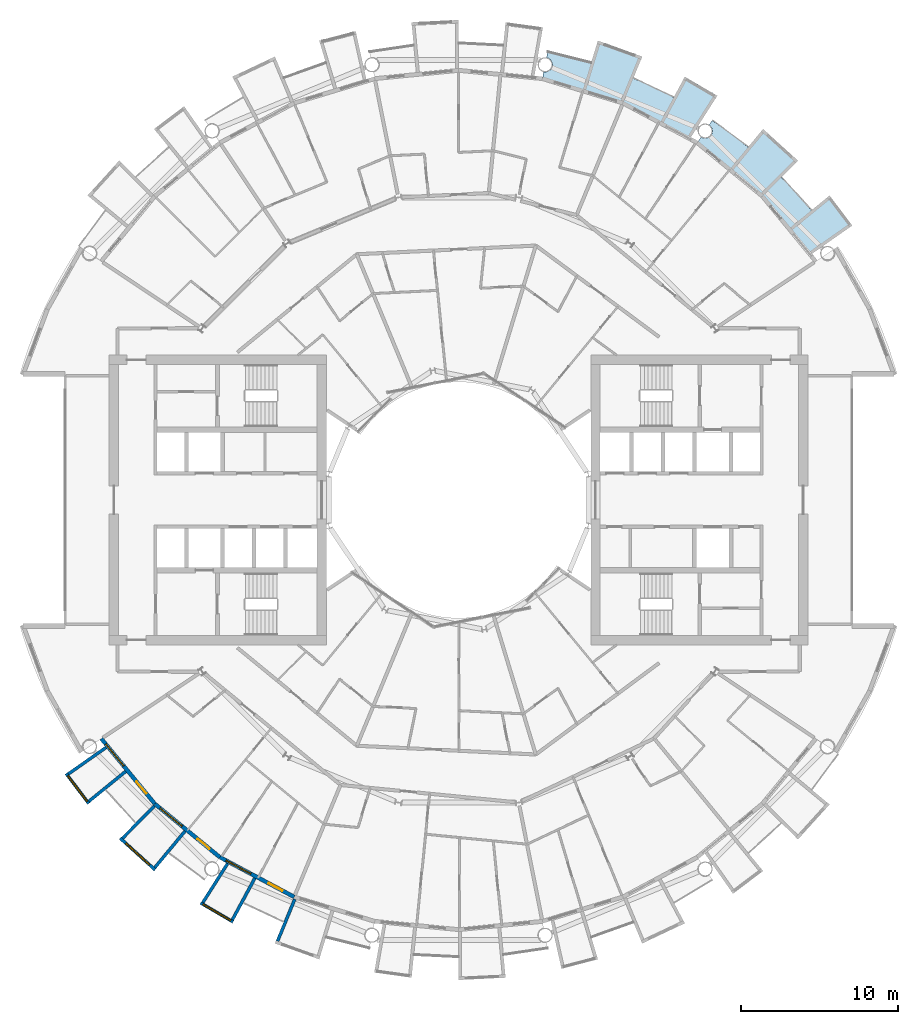
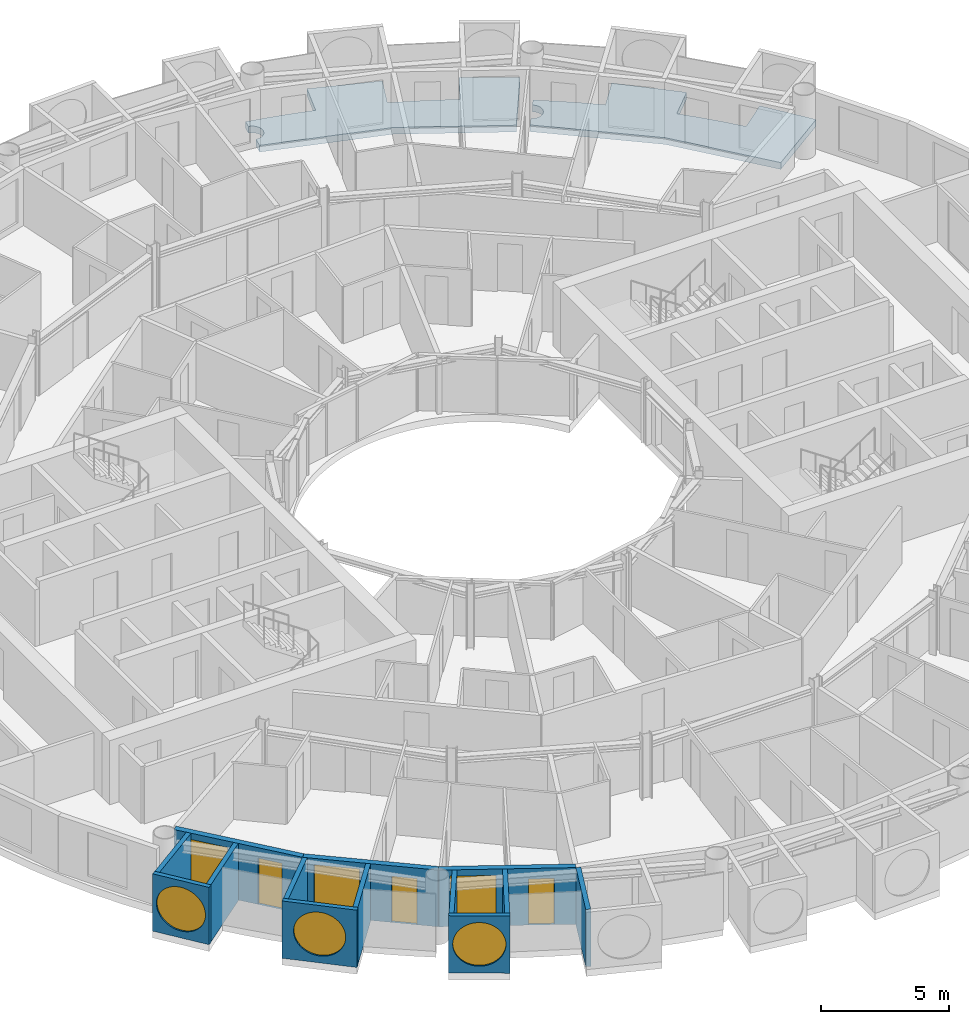
# One storey, part 13 of 27: 13 walls, 6 windows, 3 doors, 2 slabs, 9 openings.
"""IFC4 building model written with IfcOpenShell, lengths in metres."""

from ifc_helpers import new_model, si_unit, direction, frame, frame_2d, origin, place, context, subcontext, project, spatial, polyline, rectangle, circle, outline, extrude, material, layer, layer_set, type_object, element, fill, save


model = new_model("IFC4")

# Units and contexts
model_context = context("Model", 3, precision=1e-05, world=origin(), true_north=direction((0.0, 1.0)))
body_context = subcontext(model_context, "Body", "Model", "MODEL_VIEW")
ifc_project = project(units=[si_unit("LENGTHUNIT", "METRE"), si_unit("AREAUNIT", "SQUARE_METRE"), si_unit("VOLUMEUNIT", "CUBIC_METRE"), si_unit("PLANEANGLEUNIT", "RADIAN"), si_unit("MASSUNIT", "GRAM", prefix="KILO")], contexts=[model_context])

# Site, building, storey
site_placement = place(None, origin())
site = spatial("IfcSite", under=ifc_project, at=site_placement, CompositionType="ELEMENT")
building_placement = place(site_placement, origin())
building = spatial("IfcBuilding", under=site, at=building_placement, Name="Maasbend Ring Residences", CompositionType="ELEMENT")
storey_placement = place(building_placement, frame((0.0, 0.0, 111.64990234375)))
storey = spatial("IfcBuildingStorey", under=building, at=storey_placement, Name="L31", CompositionType="ELEMENT", Elevation=111.64990234375)

# Slabs
ifc_material_1 = material(Name="Concrete C40/50", Category="concrete")
ifc_layer_1 = layer(ifc_material_1, 0.199951171875)
ifc_layer_set_1 = layer_set([ifc_layer_1], Name="Concrete C40/50")
slab_type = type_object("IfcSlabType", Name="SL-LOGGIA", PredefinedType="FLOOR", material=ifc_layer_set_1)
slab_1_placement = place(storey_placement, frame((0.0, 0.0, -0.349853515625)))
element("IfcSlab", 1, at=slab_1_placement, inside=storey, type_object=slab_type, Name="Loggia floor 2", PredefinedType="FLOOR", context=body_context, shape_type="SweptSolid", body=[
    extrude(outline(polyline([(5.446044921875, 27.205078125), (5.45703125, 27.202880859375), (5.468017578125, 27.201904296875), (5.47900390625, 27.201904296875), (5.489990234375, 27.200927734375), (5.501953125, 27.200927734375), (5.512939453125, 27.200927734375), (5.52392578125, 27.201904296875), (5.534912109375, 27.201904296875), (5.5458984375, 27.202880859375), (5.556884765625, 27.205078125), (5.569091796875, 27.2060546875), (5.580078125, 27.2080078125), (5.591064453125, 27.2099609375), (5.60205078125, 27.2119140625), (5.613037109375, 27.215087890625), (5.623046875, 27.218017578125), (5.634033203125, 27.220947265625), (5.64501953125, 27.22412109375), (5.655029296875, 27.22802734375), (5.666015625, 27.23193359375), (5.676025390625, 27.236083984375), (5.68701171875, 27.239990234375), (5.697021484375, 27.2451171875), (5.70703125, 27.25), (5.717041015625, 27.2548828125), (5.72705078125, 27.260009765625), (5.736083984375, 27.26611328125), (5.74609375, 27.27197265625), (5.7548828125, 27.278076171875), (5.764892578125, 27.283935546875), (5.77392578125, 27.291015625), (5.782958984375, 27.298095703125), (5.791015625, 27.304931640625), (5.800048828125, 27.31201171875), (5.80810546875, 27.319091796875), (5.81689453125, 27.326904296875), (5.824951171875, 27.3349609375), (5.83203125, 27.343017578125), (5.840087890625, 27.35107421875), (5.847900390625, 27.360107421875), (5.85498046875, 27.367919921875), (5.862060546875, 27.376953125), (5.868896484375, 27.385986328125), (5.875, 27.39501953125), (5.881103515625, 27.404052734375), (5.887939453125, 27.4140625), (5.89306640625, 27.423095703125), (5.89892578125, 27.43310546875), (5.905029296875, 27.443115234375), (5.909912109375, 27.452880859375), (5.9150390625, 27.462890625), (5.9189453125, 27.472900390625), (5.924072265625, 27.48291015625), (5.927978515625, 27.493896484375), (5.931884765625, 27.50390625), (5.93505859375, 27.514892578125), (5.93896484375, 27.52490234375), (5.94189453125, 27.535888671875), (5.945068359375, 27.547119140625), (5.947021484375, 27.55810546875), (5.949951171875, 27.569091796875), (5.951904296875, 27.580078125), (5.9541015625, 27.591064453125), (5.955078125, 27.60205078125), (5.9560546875, 27.613037109375), (5.95703125, 27.6240234375), (5.9580078125, 27.635986328125), (5.9580078125, 27.64697265625), (5.9580078125, 27.657958984375), (5.9580078125, 27.6689453125), (5.9580078125, 27.680908203125), (5.95703125, 27.69189453125), (5.9560546875, 27.702880859375), (5.955078125, 27.714111328125), (5.9541015625, 27.72509765625), (5.951904296875, 27.736083984375), (5.949951171875, 27.7470703125), (5.947021484375, 27.758056640625), (5.945068359375, 27.76904296875), (5.94189453125, 27.780029296875), (5.93896484375, 27.791015625), (5.93505859375, 27.801025390625), (5.931884765625, 27.81201171875), (5.927978515625, 27.822998046875), (5.924072265625, 27.8330078125), (5.9189453125, 27.843017578125), (5.9150390625, 27.85302734375), (5.909912109375, 27.864013671875), (5.905029296875, 27.8740234375), (5.89892578125, 27.883056640625), (5.89306640625, 27.89306640625), (5.887939453125, 27.903076171875), (5.881103515625, 27.912109375), (5.875, 27.9208984375), (5.868896484375, 27.929931640625), (5.862060546875, 27.93896484375), (5.85498046875, 27.947998046875), (5.847900390625, 27.95703125), (5.840087890625, 27.965087890625), (5.83203125, 27.972900390625), (5.824951171875, 27.98095703125), (5.81689453125, 27.989013671875), (5.80810546875, 27.9970703125), (5.800048828125, 28.00390625), (5.791015625, 28.010986328125), (5.782958984375, 28.01806640625), (5.77392578125, 28.02490234375), (5.764892578125, 28.031982421875), (5.7548828125, 28.0380859375), (5.74609375, 28.0439453125), (5.736083984375, 28.050048828125), (5.72705078125, 28.055908203125), (5.717041015625, 28.06103515625), (5.70703125, 28.06591796875), (5.697021484375, 28.071044921875), (5.68701171875, 28.075927734375), (5.676025390625, 28.080078125), (5.666015625, 28.083984375), (5.655029296875, 28.087890625), (5.64501953125, 28.092041015625), (5.634033203125, 28.094970703125), (5.623046875, 28.09912109375), (5.613037109375, 28.10107421875), (5.60205078125, 28.10400390625), (5.591064453125, 28.10595703125), (5.657958984375, 28.443115234375), (5.657958984375, 28.443115234375), (5.657958984375, 28.443115234375), (6.5849609375, 28.241943359375), (6.5849609375, 28.241943359375), (7.506103515625, 28.011962890625), (7.506103515625, 28.011962890625), (8.41796875, 27.7509765625), (8.41796875, 27.7509765625), (8.41796875, 27.7509765625), (8.41796875, 27.7509765625), (8.41796875, 27.7509765625), (8.41796875, 27.7509765625), (8.41796875, 27.7509765625), (8.41796875, 27.7509765625), (8.41796875, 27.7509765625), (8.41796875, 27.7509765625), (8.41796875, 27.751953125), (8.41796875, 27.751953125), (8.41796875, 27.751953125), (8.41796875, 27.751953125), (8.41796875, 27.751953125), (8.41796875, 27.751953125), (8.41796875, 27.751953125), (8.85400390625, 29.18701171875), (8.85400390625, 29.18701171875), (8.85400390625, 29.18701171875), (11.672119140625, 28.177978515625), (11.672119140625, 28.177978515625), (11.672119140625, 28.177978515625), (11.097900390625, 26.79296875), (11.097900390625, 26.79296875), (11.097900390625, 26.79296875), (11.097900390625, 26.79296875), (11.097900390625, 26.79296875), (11.097900390625, 26.79296875), (11.097900390625, 26.79296875), (11.097900390625, 26.79296875), (11.097900390625, 26.79296875), (11.097900390625, 26.79296875), (11.097900390625, 26.7919921875), (11.097900390625, 26.7919921875), (11.097900390625, 26.7919921875), (11.097900390625, 26.7919921875), (11.097900390625, 26.7919921875), (11.097900390625, 26.7919921875), (11.097900390625, 26.7919921875), (11.968994140625, 26.4150390625), (11.968994140625, 26.4150390625), (12.825927734375, 26.009033203125), (12.825927734375, 26.009033203125), (13.669921875, 25.575927734375), (13.669921875, 25.575927734375), (13.669921875, 25.575927734375), (13.669921875, 25.575927734375), (13.669921875, 25.575927734375), (13.669921875, 25.575927734375), (13.669921875, 25.575927734375), (13.669921875, 25.575927734375), (13.669921875, 25.575927734375), (13.669921875, 25.575927734375), (13.6708984375, 25.575927734375), (13.6708984375, 25.575927734375), (13.6708984375, 25.575927734375), (13.6708984375, 25.575927734375), (13.6708984375, 25.575927734375), (13.6708984375, 25.575927734375), (13.6708984375, 25.575927734375), (14.3779296875, 26.89892578125), (14.3779296875, 26.89892578125), (14.3779296875, 26.89892578125), (16.44091796875, 25.68994140625), (16.44091796875, 25.68994140625), (16.44091796875, 25.68994140625), (14.68994140625, 22.9541015625), (14.68994140625, 22.9541015625), (14.68994140625, 22.9541015625), (12.806884765625, 23.9609375), (10.447021484375, 25.221923828125), (10.447021484375, 25.221923828125), (10.447021484375, 25.221923828125), (7.886962890625, 25.9990234375), (5.325927734375, 26.77490234375), (5.325927734375, 26.77490234375), (5.325927734375, 26.77490234375), (5.412109375, 27.2099609375), (5.423095703125, 27.2080078125), (5.43408203125, 27.2060546875), (5.446044921875, 27.205078125)])), origin(), (0.0, 0.0, 1.0), 0.320068359375),
])
slab_2_placement = place(storey_placement, frame((0.0, 0.0, -0.349853515625)))
element("IfcSlab", 2, at=slab_2_placement, inside=storey, type_object=slab_type, Name="Loggia floor 5", PredefinedType="FLOOR", context=body_context, shape_type="SweptSolid", body=[
    extrude(outline(polyline([(15.431884765625, 23.054931640625), (15.44189453125, 23.050048828125), (15.451904296875, 23.0439453125), (15.4619140625, 23.0390625), (15.471923828125, 23.033935546875), (15.48193359375, 23.030029296875), (15.491943359375, 23.02490234375), (15.5029296875, 23.02099609375), (15.512939453125, 23.01708984375), (15.52392578125, 23.012939453125), (15.533935546875, 23.010009765625), (15.544921875, 23.007080078125), (15.555908203125, 23.00390625), (15.56689453125, 23.001953125), (15.577880859375, 22.9990234375), (15.589111328125, 22.9970703125), (15.60009765625, 22.9951171875), (15.611083984375, 22.993896484375), (15.6220703125, 22.992919921875), (15.633056640625, 22.991943359375), (15.64501953125, 22.990966796875), (15.656005859375, 22.990966796875), (15.6669921875, 22.989990234375), (15.677978515625, 22.990966796875), (15.68994140625, 22.990966796875), (15.700927734375, 22.991943359375), (15.7119140625, 22.992919921875), (15.722900390625, 22.993896484375), (15.73388671875, 22.9951171875), (15.7451171875, 22.9970703125), (15.756103515625, 22.9990234375), (15.76708984375, 23.001953125), (15.778076171875, 23.00390625), (15.7890625, 23.007080078125), (15.800048828125, 23.010009765625), (15.81005859375, 23.012939453125), (15.821044921875, 23.01708984375), (15.83203125, 23.02099609375), (15.842041015625, 23.02490234375), (15.85205078125, 23.030029296875), (15.862060546875, 23.033935546875), (15.873046875, 23.0390625), (15.883056640625, 23.0439453125), (15.89208984375, 23.050048828125), (15.902099609375, 23.054931640625), (15.912109375, 23.06103515625), (15.9208984375, 23.06689453125), (15.929931640625, 23.073974609375), (15.93896484375, 23.080078125), (15.947998046875, 23.0869140625), (15.95703125, 23.093994140625), (15.966064453125, 23.10107421875), (15.97412109375, 23.10888671875), (15.98193359375, 23.115966796875), (15.989990234375, 23.1240234375), (15.998046875, 23.132080078125), (16.006103515625, 23.139892578125), (16.012939453125, 23.14892578125), (16.02001953125, 23.156982421875), (16.027099609375, 23.166015625), (16.033935546875, 23.175048828125), (16.041015625, 23.18408203125), (16.047119140625, 23.194091796875), (16.052978515625, 23.202880859375), (16.05908203125, 23.2119140625), (16.06494140625, 23.221923828125), (16.070068359375, 23.23193359375), (16.074951171875, 23.241943359375), (16.080078125, 23.251953125), (16.0849609375, 23.261962890625), (16.089111328125, 23.27294921875), (16.093017578125, 23.282958984375), (16.096923828125, 23.29296875), (16.10107421875, 23.303955078125), (16.10400390625, 23.31494140625), (16.10791015625, 23.325927734375), (16.110107421875, 23.3359375), (16.113037109375, 23.346923828125), (16.114990234375, 23.35791015625), (16.116943359375, 23.368896484375), (16.118896484375, 23.3798828125), (16.12109375, 23.39111328125), (16.1220703125, 23.403076171875), (16.123046875, 23.4140625), (16.1240234375, 23.425048828125), (16.1240234375, 23.43603515625), (16.1240234375, 23.447021484375), (16.1240234375, 23.458984375), (16.1240234375, 23.469970703125), (16.123046875, 23.48095703125), (16.1220703125, 23.491943359375), (16.12109375, 23.5029296875), (16.118896484375, 23.513916015625), (16.116943359375, 23.52587890625), (16.114990234375, 23.537109375), (16.113037109375, 23.548095703125), (16.110107421875, 23.55810546875), (16.10791015625, 23.569091796875), (16.10400390625, 23.580078125), (16.10107421875, 23.591064453125), (16.096923828125, 23.60107421875), (16.093017578125, 23.612060546875), (16.089111328125, 23.6220703125), (16.0849609375, 23.633056640625), (16.080078125, 23.64306640625), (16.074951171875, 23.653076171875), (16.070068359375, 23.6630859375), (16.06494140625, 23.673095703125), (16.05908203125, 23.681884765625), (16.052978515625, 23.69189453125), (16.047119140625, 23.700927734375), (16.041015625, 23.7109375), (16.033935546875, 23.719970703125), (16.027099609375, 23.72900390625), (16.02001953125, 23.737060546875), (16.012939453125, 23.74609375), (16.006103515625, 23.75390625), (15.998046875, 23.762939453125), (15.989990234375, 23.77099609375), (15.98193359375, 23.778076171875), (15.97412109375, 23.785888671875), (15.966064453125, 23.79296875), (15.95703125, 23.801025390625), (15.947998046875, 23.80810546875), (15.93896484375, 23.81396484375), (15.929931640625, 23.821044921875), (15.9208984375, 23.826904296875), (15.9208984375, 23.826904296875), (16.112060546875, 24.113037109375), (16.112060546875, 24.113037109375), (16.112060546875, 24.113037109375), (16.89208984375, 23.572998046875), (16.89208984375, 23.572998046875), (17.654052734375, 23.007080078125), (17.654052734375, 23.007080078125), (18.39697265625, 22.41796875), (18.39697265625, 22.41796875), (18.39697265625, 22.41796875), (18.39697265625, 22.41796875), (18.39697265625, 22.41796875), (18.39697265625, 22.41796875), (18.39697265625, 22.41796875), (18.39697265625, 22.41796875), (18.39697265625, 22.41796875), (18.39697265625, 22.41796875), (18.39697265625, 22.41796875), (18.39794921875, 22.41796875), (18.39794921875, 22.41796875), (18.39794921875, 22.41796875), (18.39794921875, 22.41796875), (18.39794921875, 22.41796875), (18.39794921875, 22.41796875), (19.34912109375, 23.576904296875), (19.34912109375, 23.576904296875), (19.34912109375, 23.576904296875), (21.56689453125, 21.56689453125), (21.56689453125, 21.56689453125), (21.56689453125, 21.56689453125), (20.506103515625, 20.506103515625), (20.506103515625, 20.506103515625), (20.506103515625, 20.506103515625), (20.506103515625, 20.506103515625), (20.506103515625, 20.506103515625), (20.506103515625, 20.506103515625), (20.506103515625, 20.506103515625), (20.506103515625, 20.506103515625), (20.506103515625, 20.506103515625), (20.506103515625, 20.506103515625), (20.506103515625, 20.506103515625), (20.506103515625, 20.506103515625), (20.506103515625, 20.506103515625), (20.506103515625, 20.506103515625), (20.506103515625, 20.506103515625), (20.506103515625, 20.506103515625), (20.506103515625, 20.506103515625), (21.166015625, 19.823974609375), (21.166015625, 19.823974609375), (21.802978515625, 19.12109375), (21.802978515625, 19.12109375), (22.4169921875, 18.39794921875), (22.4169921875, 18.39794921875), (22.4169921875, 18.39794921875), (22.4169921875, 18.39794921875), (22.4169921875, 18.39794921875), (22.4169921875, 18.39794921875), (22.4169921875, 18.39794921875), (22.4169921875, 18.39794921875), (22.4169921875, 18.39794921875), (22.4169921875, 18.39794921875), (22.4169921875, 18.39794921875), (22.4169921875, 18.39794921875), (22.41796875, 18.39794921875), (22.41796875, 18.39794921875), (22.41796875, 18.39794921875), (22.41796875, 18.39794921875), (22.41796875, 18.39794921875), (23.576904296875, 19.34912109375), (23.576904296875, 19.34912109375), (23.576904296875, 19.34912109375), (25.02001953125, 17.44189453125), (25.02001953125, 17.44189453125), (25.02001953125, 17.44189453125), (22.35595703125, 15.5849609375), (22.35595703125, 15.5849609375), (22.35595703125, 15.5849609375), (21.001953125, 17.236083984375), (19.303955078125, 19.303955078125), (19.303955078125, 19.303955078125), (19.303955078125, 19.303955078125), (17.236083984375, 21.001953125), (15.1669921875, 22.698974609375), (15.1669921875, 22.698974609375), (15.1669921875, 22.698974609375), (15.4130859375, 23.06689453125), (15.4130859375, 23.06689453125), (15.423095703125, 23.06103515625), (15.431884765625, 23.054931640625)])), origin(), (0.0, 0.0, 1.0), 0.320068359375),
])

# Wall, opening, window
ifc_material_2 = material(Name="Pale anodised aluminium panel", Category="aluminium")
ifc_layer_2 = layer(ifc_material_2, 0.199951171875)
ifc_layer_set_2 = layer_set([ifc_layer_2], Name="EW-BOX")
wall_type_1 = type_object("IfcWallType", Name="EW-BOX", PredefinedType="SOLIDWALL", material=ifc_layer_set_2)
wall_1_placement = place(storey_placement, frame((-24.93994140625, -17.382080078125, -0.02978515625), z_axis=(0.0, 0.0, 1.0), x_axis=(0.603375996329, -0.797456837111, 0.0)))
wall_1 = element("IfcWall", 3, at=wall_1_placement, inside=storey, type_object=wall_type_1, Name="Box front S01", PredefinedType="SOLIDWALL", context=body_context, shape_type="SweptSolid", body=[
    extrude(rectangle(XDim=2.391357421875, YDim=0.199951171875, at=frame_2d((1.19580078125, 0.0))), origin(), (0.0, 0.0, 1.0), 2.72998046875),
])
opening_1_placement = place(wall_1_placement, frame((0.15576171875, 0.0, 0.330078125)))
opening_1 = element("IfcOpeningElement", 4, at=opening_1_placement, cuts=wall_1, Name="Opening W-RD", PredefinedType="OPENING", context=body_context, shape_type="SweptSolid", body=[
    extrude(circle(Radius=1.0400390625, at=frame_2d((1.0400390625, 1.0400390625))), frame((0.0, 0.10986328125, 0.0), z_axis=(0.0, -1.0, 0.0), x_axis=(1.0, 0.0, 0.0)), (0.0, 0.0, 1.0), 0.219970703125),
])
ifc_material_3 = material(Name="Aluminium and clear glass", Category="aluminium")
window_type_1 = type_object("IfcWindowType", Name="W-RD", PartitioningType="SINGLE_PANEL", PredefinedType="WINDOW", material=ifc_material_3)
window_1_placement = place(opening_1_placement, origin())
window_1 = element("IfcWindow", 5, at=window_1_placement, inside=storey, type_object=window_type_1, Name="Round window S01", OverallHeight=2.080078125, OverallWidth=2.080078125, PartitioningType="SINGLE_PANEL", PredefinedType="WINDOW", context=body_context, shape_type="SweptSolid", body=[
    extrude(circle(Radius=1.0400390625, at=frame_2d((1.0400390625, 1.0400390625))), frame((0.0, 0.030029296875, 0.0), z_axis=(0.0, -1.0, 0.0), x_axis=(1.0, 0.0, 0.0)), (0.0, 0.0, 1.0), 0.06005859375),
])
fill(opening_1, window_1)

# Walls
wall_2_placement = place(storey_placement, frame((-22.402099609375, -15.72607421875, -0.02978515625), z_axis=(0.0, 0.0, 1.0), x_axis=(-0.818275399393, -0.574826383135, 0.0)))
element("IfcWall", 6, at=wall_2_placement, inside=storey, type_object=wall_type_1, Name="Box side wall S01 left", PredefinedType="SOLIDWALL", context=body_context, shape_type="SweptSolid", body=[
    extrude(rectangle(XDim=2.92919921875, YDim=0.199951171875, at=frame_2d((1.464599609375, 0.0))), origin(), (0.0, 0.0, 1.0), 2.72998046875),
])
wall_3_placement = place(storey_placement, frame((-21.155029296875, -17.24609375, -0.02978515625), z_axis=(0.0, 0.0, 1.0), x_axis=(-0.775179004516, -0.631741648902, 0.0)))
element("IfcWall", 7, at=wall_3_placement, inside=storey, type_object=wall_type_1, Name="Box side wall S01 right", PredefinedType="SOLIDWALL", context=body_context, shape_type="SweptSolid", body=[
    extrude(rectangle(XDim=3.005859375, YDim=0.199951171875, at=frame_2d((1.5029296875, 0.0))), origin(), (0.0, 0.0, 1.0), 2.72998046875),
])

# Wall, opening, window
wall_4_placement = place(storey_placement, frame((-21.5, -21.492919921875, -0.02978515625), z_axis=(0.0, 0.0, 1.0), x_axis=(0.740998365753, -0.671506829416, 0.0)))
wall_4 = element("IfcWall", 8, at=wall_4_placement, inside=storey, type_object=wall_type_1, Name="Box front S03", PredefinedType="SOLIDWALL", context=body_context, shape_type="SweptSolid", body=[
    extrude(rectangle(XDim=2.9931640625, YDim=0.199951171875, at=frame_2d((1.49658203125, 0.0))), origin(), (0.0, 0.0, 1.0), 2.72998046875),
])
opening_2_placement = place(wall_4_placement, frame((0.45654296875, 0.0, 0.330078125)))
opening_2 = element("IfcOpeningElement", 9, at=opening_2_placement, cuts=wall_4, Name="Opening W-RD", PredefinedType="OPENING", context=body_context, shape_type="SweptSolid", body=[
    extrude(circle(Radius=1.0400390625, at=frame_2d((1.0400390625, 1.0400390625))), frame((0.0, 0.10986328125, 0.0), z_axis=(0.0, -1.0, 0.0), x_axis=(1.0, 0.0, 0.0)), (0.0, 0.0, 1.0), 0.219970703125),
])
window_2_placement = place(opening_2_placement, origin())
window_2 = element("IfcWindow", 10, at=window_2_placement, inside=storey, type_object=window_type_1, Name="Round window S03", OverallHeight=2.080078125, OverallWidth=2.080078125, PartitioningType="SINGLE_PANEL", PredefinedType="WINDOW", context=body_context, shape_type="SweptSolid", body=[
    extrude(circle(Radius=1.0400390625, at=frame_2d((1.0400390625, 1.0400390625))), frame((0.0, 0.030029296875, 0.0), z_axis=(0.0, -1.0, 0.0), x_axis=(1.0, 0.0, 0.0)), (0.0, 0.0, 1.0), 0.06005859375),
])
fill(opening_2, window_2)

# Walls
wall_5_placement = place(storey_placement, frame((-19.322998046875, -19.449951171875, -0.02978515625), z_axis=(0.0, 0.0, 1.0), x_axis=(-0.704476739375, -0.709727076896, 0.0)))
element("IfcWall", 11, at=wall_5_placement, inside=storey, type_object=wall_type_1, Name="Box side wall S03 left", PredefinedType="SOLIDWALL", context=body_context, shape_type="SweptSolid", body=[
    extrude(rectangle(XDim=2.883056640625, YDim=0.199951171875, at=frame_2d((1.44140625, 0.0))), origin(), (0.0, 0.0, 1.0), 2.72998046875),
])
wall_6_placement = place(storey_placement, frame((-17.384033203125, -21.041015625, -0.02978515625), z_axis=(0.0, 0.0, 1.0), x_axis=(-0.63709551667, -0.770784861449, 0.0)))
element("IfcWall", 12, at=wall_6_placement, inside=storey, type_object=wall_type_1, Name="Box side wall S03 right", PredefinedType="SOLIDWALL", context=body_context, shape_type="SweptSolid", body=[
    extrude(rectangle(XDim=3.005859375, YDim=0.199951171875, at=frame_2d((1.5029296875, 0.0))), origin(), (0.0, 0.0, 1.0), 2.72998046875),
])

# Wall, opening, window
wall_7_placement = place(storey_placement, frame((-16.389892578125, -25.60302734375, -0.02978515625), z_axis=(0.0, 0.0, 1.0), x_axis=(0.862762477128, -0.505609442218, 0.0)))
wall_7 = element("IfcWall", 13, at=wall_7_placement, inside=storey, type_object=wall_type_1, Name="Box front S05", PredefinedType="SOLIDWALL", context=body_context, shape_type="SweptSolid", body=[
    extrude(rectangle(XDim=2.39111328125, YDim=0.199951171875, at=frame_2d((1.195556640625, 0.0))), origin(), (0.0, 0.0, 1.0), 2.72998046875),
])
opening_3_placement = place(wall_7_placement, frame((0.15576171875, 0.0, 0.330078125)))
opening_3 = element("IfcOpeningElement", 14, at=opening_3_placement, cuts=wall_7, Name="Opening W-RD", PredefinedType="OPENING", context=body_context, shape_type="SweptSolid", body=[
    extrude(circle(Radius=1.0400390625, at=frame_2d((1.0400390625, 1.0400390625))), frame((0.0, 0.10986328125, 0.0), z_axis=(0.0, -1.0, 0.0), x_axis=(1.0, 0.0, 0.0)), (0.0, 0.0, 1.0), 0.219970703125),
])
window_3_placement = place(opening_3_placement, origin())
window_3 = element("IfcWindow", 15, at=window_3_placement, inside=storey, type_object=window_type_1, Name="Round window S05", OverallHeight=2.080078125, OverallWidth=2.080078125, PartitioningType="SINGLE_PANEL", PredefinedType="WINDOW", context=body_context, shape_type="SweptSolid", body=[
    extrude(circle(Radius=1.0400390625, at=frame_2d((1.0400390625, 1.0400390625))), frame((0.0, 0.030029296875, 0.0), z_axis=(0.0, -1.0, 0.0), x_axis=(1.0, 0.0, 0.0)), (0.0, 0.0, 1.0), 0.06005859375),
])
fill(opening_3, window_3)

# Walls
wall_8_placement = place(storey_placement, frame((-14.677978515625, -23.10205078125, -0.02978515625), z_axis=(0.0, 0.0, 1.0), x_axis=(-0.536001536573, -0.844217005746, 0.0)))
element("IfcWall", 16, at=wall_8_placement, inside=storey, type_object=wall_type_1, Name="Box side wall S05 left", PredefinedType="SOLIDWALL", context=body_context, shape_type="SweptSolid", body=[
    extrude(rectangle(XDim=2.92919921875, YDim=0.199951171875, at=frame_2d((1.464599609375, 0.0))), origin(), (0.0, 0.0, 1.0), 2.72998046875),
])
wall_9_placement = place(storey_placement, frame((-12.945068359375, -24.029052734375, -0.02978515625), z_axis=(0.0, 0.0, 1.0), x_axis=(-0.474424310775, -0.88029629861, 0.0)))
element("IfcWall", 17, at=wall_9_placement, inside=storey, type_object=wall_type_1, Name="Box side wall S05 right", PredefinedType="SOLIDWALL", context=body_context, shape_type="SweptSolid", body=[
    extrude(rectangle(XDim=3.005859375, YDim=0.199951171875, at=frame_2d((1.5029296875, 0.0))), origin(), (0.0, 0.0, 1.0), 2.72998046875),
])
wall_10_placement = place(storey_placement, frame((-10.408935546875, -25.364013671875, -0.02978515625), z_axis=(0.0, 0.0, 1.0), x_axis=(-0.379509886562, -0.925187681501, 0.0)))
element("IfcWall", 18, at=wall_10_placement, inside=storey, type_object=wall_type_1, Name="Box side wall S07 left", PredefinedType="SOLIDWALL", context=body_context, shape_type="SweptSolid", body=[
    extrude(rectangle(XDim=2.882568359375, YDim=0.199951171875, at=frame_2d((1.44140625, 0.0))), origin(), (0.0, 0.0, 1.0), 2.72998046875),
])

# Wall, openings, door, window
ifc_material_4 = material(Name="Aluminium clad insulated panel", Category="aluminium")
ifc_layer_3 = layer(ifc_material_4, 0.25)
ifc_layer_set_3 = layer_set([ifc_layer_3], Name="EW-GL")
wall_type_2 = type_object("IfcWallType", Name="EW-GL", PredefinedType="SOLIDWALL", material=ifc_layer_set_3)
wall_11_placement = place(storey_placement, frame((-22.698974609375, -15.1669921875, 0.0), z_axis=(0.0, 0.0, 1.0), x_axis=(0.634382322723, -0.773019449054, 0.0)))
wall_11 = element("IfcWall", 19, at=wall_11_placement, inside=storey, type_object=wall_type_2, Name="External wall S01", PredefinedType="SOLIDWALL", context=body_context, shape_type="SweptSolid", body=[
    extrude(rectangle(XDim=5.351806640625, YDim=0.25, at=frame_2d((2.67578125, 0.0))), origin(), (0.0, 0.0, 1.0), 2.7001953125),
])
opening_4_placement = place(wall_11_placement, frame((0.441162109375, 0.0, 0.300048828125)))
opening_4 = element("IfcOpeningElement", 20, at=opening_4_placement, cuts=wall_11, Name="Opening W-BX", PredefinedType="OPENING", context=body_context, shape_type="SweptSolid", body=[
    extrude(rectangle(XDim=1.800048828125, YDim=2.10009765625, at=frame_2d((0.89990234375, 1.050048828125))), frame((0.0, 0.135009765625, 0.0), z_axis=(0.0, -1.0, 0.0), x_axis=(1.0, 0.0, 0.0)), (0.0, 0.0, 1.0), 0.27001953125),
])
opening_5_placement = place(wall_11_placement, frame((3.510498046875, 0.0, 0.0)))
opening_5 = element("IfcOpeningElement", 21, at=opening_5_placement, cuts=wall_11, Name="Opening D-LG", PredefinedType="OPENING", context=body_context, shape_type="SweptSolid", body=[
    extrude(rectangle(XDim=1.0, YDim=2.199951171875, at=frame_2d((0.5, 1.10009765625))), frame((0.0, 0.135009765625, 0.0), z_axis=(0.0, -1.0, 0.0), x_axis=(1.0, 0.0, 0.0)), (0.0, 0.0, 1.0), 0.27001953125),
])
ifc_material_5 = material(Name="Aluminium and clear glass", Category="aluminium")
door_type = type_object("IfcDoorType", Name="D-LG", OperationType="SINGLE_SWING_LEFT", PredefinedType="DOOR", material=ifc_material_5)
door_1_placement = place(opening_5_placement, origin())
door_1 = element("IfcDoor", 22, at=door_1_placement, inside=storey, type_object=door_type, Name="Loggia door S02", OperationType="SINGLE_SWING_LEFT", OverallHeight=2.199951171875, OverallWidth=1.0, PredefinedType="DOOR", context=body_context, shape_type="SweptSolid", body=[
    extrude(rectangle(XDim=1.0, YDim=2.199951171875, at=frame_2d((0.5, 1.10009765625))), frame((0.0, 0.02490234375, 0.0), z_axis=(0.0, -1.0, 0.0), x_axis=(1.0, 0.0, 0.0)), (0.0, 0.0, 1.0), 0.050048828125),
])
fill(opening_5, door_1)
ifc_material_6 = material(Name="Aluminium and clear glass", Category="aluminium")
window_type_2 = type_object("IfcWindowType", Name="W-BX", PartitioningType="DOUBLE_PANEL_VERTICAL", PredefinedType="WINDOW", material=ifc_material_6)
window_4_placement = place(opening_4_placement, origin())
window_4 = element("IfcWindow", 23, at=window_4_placement, inside=storey, type_object=window_type_2, Name="Window S01 room to box", OverallHeight=2.10009765625, OverallWidth=1.800048828125, PartitioningType="SINGLE_PANEL", PredefinedType="WINDOW", context=body_context, shape_type="SweptSolid", body=[
    extrude(rectangle(XDim=1.800048828125, YDim=2.10009765625, at=frame_2d((0.89990234375, 1.050048828125))), frame((0.0, 0.030029296875, 0.0), z_axis=(0.0, -1.0, 0.0), x_axis=(1.0, 0.0, 0.0)), (0.0, 0.0, 1.0), 0.06005859375),
])
fill(opening_4, window_4)

wall_12_placement = place(storey_placement, frame((-19.303955078125, -19.303955078125, 0.0), z_axis=(0.0, 0.0, 1.0), x_axis=(0.773019449054, -0.634382322723, 0.0)))
wall_12 = element("IfcWall", 24, at=wall_12_placement, inside=storey, type_object=wall_type_2, Name="External wall S02", PredefinedType="SOLIDWALL", context=body_context, shape_type="SweptSolid", body=[
    extrude(rectangle(XDim=5.351806640625, YDim=0.25, at=frame_2d((2.67578125, 0.0))), origin(), (0.0, 0.0, 1.0), 2.7001953125),
])
opening_6_placement = place(wall_12_placement, frame((0.441162109375, 0.0, 0.300048828125)))
opening_6 = element("IfcOpeningElement", 25, at=opening_6_placement, cuts=wall_12, Name="Opening W-BX", PredefinedType="OPENING", context=body_context, shape_type="SweptSolid", body=[
    extrude(rectangle(XDim=1.800048828125, YDim=2.10009765625, at=frame_2d((0.89990234375, 1.050048828125))), frame((0.0, 0.135009765625, 0.0), z_axis=(0.0, -1.0, 0.0), x_axis=(1.0, 0.0, 0.0)), (0.0, 0.0, 1.0), 0.27001953125),
])
opening_7_placement = place(wall_12_placement, frame((3.510498046875, 0.0, 0.0)))
opening_7 = element("IfcOpeningElement", 26, at=opening_7_placement, cuts=wall_12, Name="Opening D-LG", PredefinedType="OPENING", context=body_context, shape_type="SweptSolid", body=[
    extrude(rectangle(XDim=1.0, YDim=2.199951171875, at=frame_2d((0.5, 1.10009765625))), frame((0.0, 0.135009765625, 0.0), z_axis=(0.0, -1.0, 0.0), x_axis=(1.0, 0.0, 0.0)), (0.0, 0.0, 1.0), 0.27001953125),
])
door_2_placement = place(opening_7_placement, origin())
door_2 = element("IfcDoor", 27, at=door_2_placement, inside=storey, type_object=door_type, Name="Loggia door S04", OperationType="SINGLE_SWING_LEFT", OverallHeight=2.199951171875, OverallWidth=1.0, PredefinedType="DOOR", context=body_context, shape_type="SweptSolid", body=[
    extrude(rectangle(XDim=1.0, YDim=2.199951171875, at=frame_2d((0.5, 1.10009765625))), frame((0.0, 0.02490234375, 0.0), z_axis=(0.0, -1.0, 0.0), x_axis=(1.0, 0.0, 0.0)), (0.0, 0.0, 1.0), 0.050048828125),
])
fill(opening_7, door_2)
window_5_placement = place(opening_6_placement, origin())
window_5 = element("IfcWindow", 28, at=window_5_placement, inside=storey, type_object=window_type_2, Name="Window S03 room to box", OverallHeight=2.10009765625, OverallWidth=1.800048828125, PartitioningType="SINGLE_PANEL", PredefinedType="WINDOW", context=body_context, shape_type="SweptSolid", body=[
    extrude(rectangle(XDim=1.800048828125, YDim=2.10009765625, at=frame_2d((0.89990234375, 1.050048828125))), frame((0.0, 0.030029296875, 0.0), z_axis=(0.0, -1.0, 0.0), x_axis=(1.0, 0.0, 0.0)), (0.0, 0.0, 1.0), 0.06005859375),
])
fill(opening_6, window_5)

wall_13_placement = place(storey_placement, frame((-15.1669921875, -22.698974609375, 0.0), z_axis=(0.0, 0.0, 1.0), x_axis=(0.881915646801, -0.471407246368, 0.0)))
wall_13 = element("IfcWall", 29, at=wall_13_placement, inside=storey, type_object=wall_type_2, Name="External wall S03", PredefinedType="SOLIDWALL", context=body_context, shape_type="SweptSolid", body=[
    extrude(rectangle(XDim=5.35205078125, YDim=0.25, at=frame_2d((2.676025390625, 0.0))), origin(), (0.0, 0.0, 1.0), 2.7001953125),
])
opening_8_placement = place(wall_13_placement, frame((0.441162109375, 0.0, 0.300048828125)))
opening_8 = element("IfcOpeningElement", 30, at=opening_8_placement, cuts=wall_13, Name="Opening W-BX", PredefinedType="OPENING", context=body_context, shape_type="SweptSolid", body=[
    extrude(rectangle(XDim=1.800048828125, YDim=2.10009765625, at=frame_2d((0.89990234375, 1.050048828125))), frame((0.0, 0.135009765625, 0.0), z_axis=(0.0, -1.0, 0.0), x_axis=(1.0, 0.0, 0.0)), (0.0, 0.0, 1.0), 0.27001953125),
])
opening_9_placement = place(wall_13_placement, frame((3.510498046875, 0.0, 0.0)))
opening_9 = element("IfcOpeningElement", 31, at=opening_9_placement, cuts=wall_13, Name="Opening D-LG", PredefinedType="OPENING", context=body_context, shape_type="SweptSolid", body=[
    extrude(rectangle(XDim=1.0, YDim=2.199951171875, at=frame_2d((0.5, 1.10009765625))), frame((0.0, 0.135009765625, 0.0), z_axis=(0.0, -1.0, 0.0), x_axis=(1.0, 0.0, 0.0)), (0.0, 0.0, 1.0), 0.27001953125),
])
door_3_placement = place(opening_9_placement, origin())
door_3 = element("IfcDoor", 32, at=door_3_placement, inside=storey, type_object=door_type, Name="Loggia door S06", OperationType="SINGLE_SWING_LEFT", OverallHeight=2.199951171875, OverallWidth=1.0, PredefinedType="DOOR", context=body_context, shape_type="SweptSolid", body=[
    extrude(rectangle(XDim=1.0, YDim=2.199951171875, at=frame_2d((0.5, 1.10009765625))), frame((0.0, 0.02490234375, 0.0), z_axis=(0.0, -1.0, 0.0), x_axis=(1.0, 0.0, 0.0)), (0.0, 0.0, 1.0), 0.050048828125),
])
fill(opening_9, door_3)
window_6_placement = place(opening_8_placement, origin())
window_6 = element("IfcWindow", 33, at=window_6_placement, inside=storey, type_object=window_type_2, Name="Window S05 room to box", OverallHeight=2.10009765625, OverallWidth=1.800048828125, PartitioningType="SINGLE_PANEL", PredefinedType="WINDOW", context=body_context, shape_type="SweptSolid", body=[
    extrude(rectangle(XDim=1.800048828125, YDim=2.10009765625, at=frame_2d((0.89990234375, 1.050048828125))), frame((0.0, 0.030029296875, 0.0), z_axis=(0.0, -1.0, 0.0), x_axis=(1.0, 0.0, 0.0)), (0.0, 0.0, 1.0), 0.06005859375),
])
fill(opening_8, window_6)

save(model, "model.ifc")
